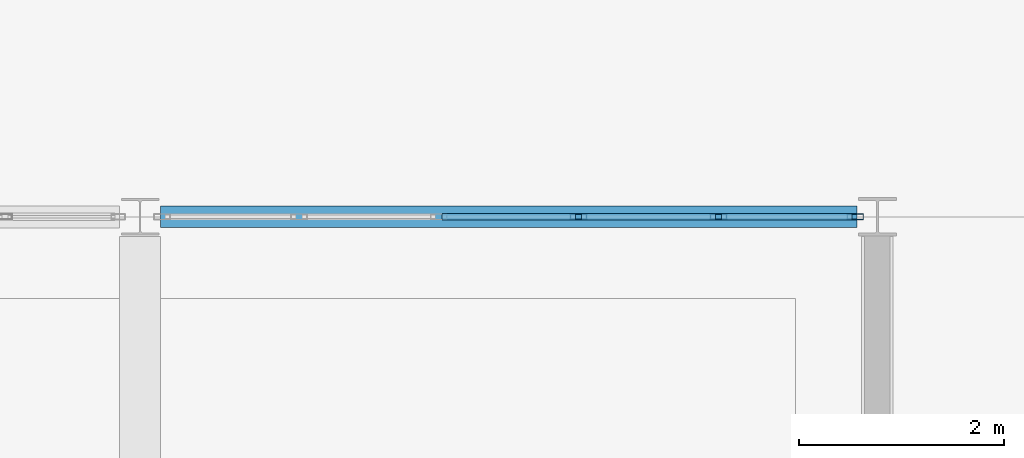
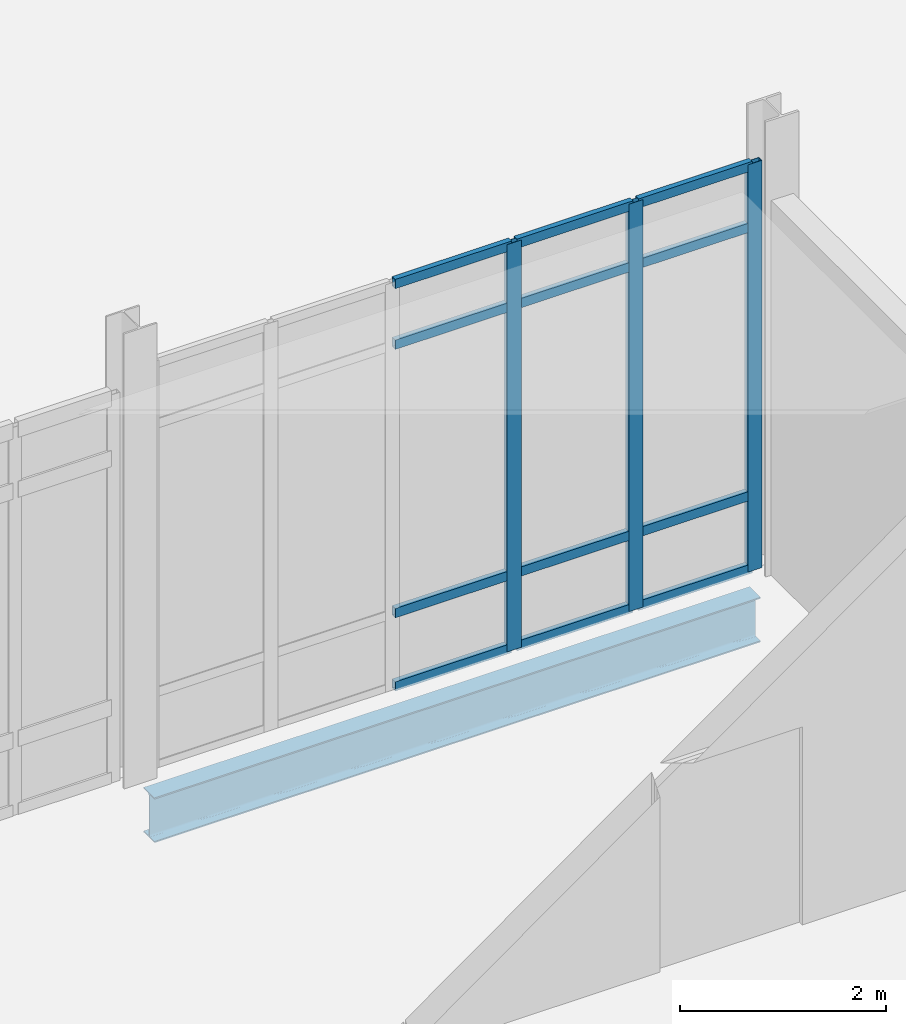
# One storey, part 128 of 229: 15 members, 1 beam, 1 element without a shape of its own.
"""IFC4 building model written with IfcOpenShell, lengths in metres."""

from ifc_helpers import new_model, si_unit, direction, frame, origin, origin_2d, place, context, subcontext, project, spatial, hollow_rectangle, i_section, extrude, material, layer, layer_set, material_profile, profile_set, type_object, element, aggregate, save


model = new_model("IFC4")

# Units and contexts
model_context = context("Model", 3, precision=1e-05, world=origin(), true_north=direction((0.0, 1.0)))
body_context = subcontext(model_context, "Body", "Model", "MODEL_VIEW")
ifc_project = project(units=[si_unit("LENGTHUNIT", "METRE"), si_unit("AREAUNIT", "SQUARE_METRE"), si_unit("VOLUMEUNIT", "CUBIC_METRE"), si_unit("PLANEANGLEUNIT", "RADIAN"), si_unit("MASSUNIT", "GRAM", prefix="KILO")], contexts=[model_context])

# Site, building, storey
site_placement = place(None, origin())
site = spatial("IfcSite", under=ifc_project, at=site_placement, CompositionType="ELEMENT")
building_placement = place(site_placement, origin())
building = spatial("IfcBuilding", under=site, at=building_placement, Name="Calvrana Isthmian Art Gallery", CompositionType="ELEMENT")
storey_placement = place(building_placement, origin())
storey = spatial("IfcBuildingStorey", under=building, at=storey_placement, Name="L00", CompositionType="ELEMENT", Elevation=0.0)

# Beam
ifc_material_1 = material(Name="Steel ASTM A992 Gr 50", Category="steel")
ifc_material_profile_1 = material_profile(ifc_material_1, i_section(OverallWidth=0.208984375, OverallDepth=0.532958984375, WebThickness=0.01025390625, FlangeThickness=0.015625, FilletRadius=0.02099609375, at=origin_2d()), Name="W21X62")
ifc_profile_set_1 = profile_set([ifc_material_profile_1], Name="Steel ASTM A992 Gr 50")
beam_type = type_object("IfcBeamType", Name="BM-G-W21X62", PredefinedType="BEAM", material=ifc_profile_set_1)
beam_placement = place(storey_placement, frame((148.99951171875, 46.800048828125, -0.551513671875), z_axis=(1.0, 0.0, 0.0), x_axis=(0.0, 1.0, 0.0)))
element("IfcBeam", 1, at=beam_placement, inside=storey, type_object=beam_type, Name="Girder X L00 20-21/G", PredefinedType="BEAM", context=body_context, shape_type="SweptSolid", body=[
    extrude(i_section(OverallWidth=0.208984375, OverallDepth=0.532958984375, WebThickness=0.01025390625, FlangeThickness=0.015625, FilletRadius=0.02099609375, at=origin_2d()), origin(), (0.0, 0.0, 1.0), 6.802490234375),
])

# Curtain wall, members
ifc_material_2 = material(Name="Anodized bronze aluminium 6063-T6", Category="aluminium")
ifc_layer = layer(ifc_material_2, 0.179931640625, Name="Anodized bronze aluminium 6063-T6")
ifc_layer_set = layer_set([ifc_layer], Name="Anodized bronze aluminium 6063-T6")
curtain_wall_type = type_object("IfcCurtainWallType", Name="CW-UNIT-068X48", PredefinedType="USERDEFINED", material=ifc_layer_set)
curtain_wall_placement = place(storey_placement, origin())
curtain_wall = element("IfcCurtainWall", 2, at=curtain_wall_placement, inside=storey, type_object=curtain_wall_type, Name="Curtain wall CW-025", ObjectType="UNITISED CURTAIN WALL", PredefinedType="USERDEFINED")
ifc_material_profile_2 = material_profile(ifc_material_2, hollow_rectangle(XDim=0.06005859375, YDim=0.159912109375, WallThickness=0.00390625, at=origin_2d()), Name="CWM60X160")
ifc_profile_set_2 = profile_set([ifc_material_profile_2], Name="Anodized bronze aluminium 6063-T6")
member_type_1 = type_object("IfcMemberType", Name="CWM-CWM60X160", PredefinedType="MULLION", material=ifc_profile_set_2)
member_1_placement = place(storey_placement, frame((153.081787109375, 46.800048828125, 0.0), z_axis=(0.0, 0.0, 1.0), x_axis=(0.0, 1.0, 0.0)))
member_1 = element("IfcMember", 3, at=member_1_placement, type_object=member_type_1, Name="CW-025 mullion 4", PredefinedType="MULLION", context=body_context, shape_type="SweptSolid", body=[
    extrude(hollow_rectangle(XDim=0.06005859375, YDim=0.159912109375, WallThickness=0.00390625, at=origin_2d()), origin(), (0.0, 0.0, 1.0), 4.835205078125),
])
member_2_placement = place(storey_placement, frame((154.447509765625, 46.800048828125, 0.0), z_axis=(0.0, 0.0, 1.0), x_axis=(0.0, 1.0, 0.0)))
member_2 = element("IfcMember", 4, at=member_2_placement, type_object=member_type_1, Name="CW-025 mullion 5", PredefinedType="MULLION", context=body_context, shape_type="SweptSolid", body=[
    extrude(hollow_rectangle(XDim=0.06005859375, YDim=0.159912109375, WallThickness=0.00390625, at=origin_2d()), origin(), (0.0, 0.0, 1.0), 4.835205078125),
])
member_3_placement = place(storey_placement, frame((155.783447265625, 46.800048828125, 0.0), z_axis=(0.0, 0.0, 1.0), x_axis=(0.0, 1.0, 0.0)))
member_3 = element("IfcMember", 5, at=member_3_placement, type_object=member_type_1, Name="CW-025 mullion 6", PredefinedType="MULLION", context=body_context, shape_type="SweptSolid", body=[
    extrude(hollow_rectangle(XDim=0.06005859375, YDim=0.159912109375, WallThickness=0.00390625, at=origin_2d()), origin(), (0.0, 0.0, 1.0), 4.835205078125),
])
ifc_material_profile_3 = material_profile(ifc_material_2, hollow_rectangle(XDim=0.06005859375, YDim=0.110107421875, WallThickness=0.00341796875, at=origin_2d()), Name="CWT60X110")
ifc_profile_set_3 = profile_set([ifc_material_profile_3], Name="Anodized bronze aluminium 6063-T6")
member_type_2 = type_object("IfcMemberType", Name="CWT-CWT60X110", PredefinedType="USERDEFINED", material=ifc_profile_set_3)
member_4_placement = place(storey_placement, frame((151.745849609375, 46.800048828125, 0.030029296875), z_axis=(1.0, 0.0, 0.0), x_axis=(0.0, 1.0, 0.0)))
member_4 = element("IfcMember", 6, at=member_4_placement, type_object=member_type_2, Name="CW-025 transom 3.1", ObjectType="TRANSOM", PredefinedType="USERDEFINED", context=body_context, shape_type="SweptSolid", body=[
    extrude(hollow_rectangle(XDim=0.06005859375, YDim=0.110107421875, WallThickness=0.00341796875, at=origin_2d()), origin(), (0.0, 0.0, 1.0), 1.305908203125),
])
member_5_placement = place(storey_placement, frame((151.745849609375, 46.800048828125, 0.89990234375), z_axis=(1.0, 0.0, 0.0), x_axis=(0.0, 1.0, 0.0)))
member_5 = element("IfcMember", 7, at=member_5_placement, type_object=member_type_2, Name="CW-025 transom 3.2", ObjectType="TRANSOM", PredefinedType="USERDEFINED", context=body_context, shape_type="SweptSolid", body=[
    extrude(hollow_rectangle(XDim=0.06005859375, YDim=0.110107421875, WallThickness=0.00341796875, at=origin_2d()), origin(), (0.0, 0.0, 1.0), 1.305908203125),
])
member_6_placement = place(storey_placement, frame((151.745849609375, 46.800048828125, 4.085205078125), z_axis=(1.0, 0.0, 0.0), x_axis=(0.0, 1.0, 0.0)))
member_6 = element("IfcMember", 8, at=member_6_placement, type_object=member_type_2, Name="CW-025 transom 3.3", ObjectType="TRANSOM", PredefinedType="USERDEFINED", context=body_context, shape_type="SweptSolid", body=[
    extrude(hollow_rectangle(XDim=0.06005859375, YDim=0.110107421875, WallThickness=0.00341796875, at=origin_2d()), origin(), (0.0, 0.0, 1.0), 1.305908203125),
])
member_7_placement = place(storey_placement, frame((151.745849609375, 46.800048828125, 4.80517578125), z_axis=(1.0, 0.0, 0.0), x_axis=(0.0, 1.0, 0.0)))
member_7 = element("IfcMember", 9, at=member_7_placement, type_object=member_type_2, Name="CW-025 transom 3.4", ObjectType="TRANSOM", PredefinedType="USERDEFINED", context=body_context, shape_type="SweptSolid", body=[
    extrude(hollow_rectangle(XDim=0.06005859375, YDim=0.110107421875, WallThickness=0.00341796875, at=origin_2d()), origin(), (0.0, 0.0, 1.0), 1.305908203125),
])
member_8_placement = place(storey_placement, frame((153.11181640625, 46.800048828125, 0.030029296875), z_axis=(1.0, 0.0, 0.0), x_axis=(0.0, 1.0, 0.0)))
member_8 = element("IfcMember", 10, at=member_8_placement, type_object=member_type_2, Name="CW-025 transom 4.1", ObjectType="TRANSOM", PredefinedType="USERDEFINED", context=body_context, shape_type="SweptSolid", body=[
    extrude(hollow_rectangle(XDim=0.06005859375, YDim=0.110107421875, WallThickness=0.00341796875, at=origin_2d()), origin(), (0.0, 0.0, 1.0), 1.3056640625),
])
member_9_placement = place(storey_placement, frame((153.11181640625, 46.800048828125, 0.89990234375), z_axis=(1.0, 0.0, 0.0), x_axis=(0.0, 1.0, 0.0)))
member_9 = element("IfcMember", 11, at=member_9_placement, type_object=member_type_2, Name="CW-025 transom 4.2", ObjectType="TRANSOM", PredefinedType="USERDEFINED", context=body_context, shape_type="SweptSolid", body=[
    extrude(hollow_rectangle(XDim=0.06005859375, YDim=0.110107421875, WallThickness=0.00341796875, at=origin_2d()), origin(), (0.0, 0.0, 1.0), 1.3056640625),
])
member_10_placement = place(storey_placement, frame((153.11181640625, 46.800048828125, 4.085205078125), z_axis=(1.0, 0.0, 0.0), x_axis=(0.0, 1.0, 0.0)))
member_10 = element("IfcMember", 12, at=member_10_placement, type_object=member_type_2, Name="CW-025 transom 4.3", ObjectType="TRANSOM", PredefinedType="USERDEFINED", context=body_context, shape_type="SweptSolid", body=[
    extrude(hollow_rectangle(XDim=0.06005859375, YDim=0.110107421875, WallThickness=0.00341796875, at=origin_2d()), origin(), (0.0, 0.0, 1.0), 1.3056640625),
])
member_11_placement = place(storey_placement, frame((153.11181640625, 46.800048828125, 4.80517578125), z_axis=(1.0, 0.0, 0.0), x_axis=(0.0, 1.0, 0.0)))
member_11 = element("IfcMember", 13, at=member_11_placement, type_object=member_type_2, Name="CW-025 transom 4.4", ObjectType="TRANSOM", PredefinedType="USERDEFINED", context=body_context, shape_type="SweptSolid", body=[
    extrude(hollow_rectangle(XDim=0.06005859375, YDim=0.110107421875, WallThickness=0.00341796875, at=origin_2d()), origin(), (0.0, 0.0, 1.0), 1.3056640625),
])
member_12_placement = place(storey_placement, frame((154.4775390625, 46.800048828125, 0.030029296875), z_axis=(1.0, 0.0, 0.0), x_axis=(0.0, 1.0, 0.0)))
member_12 = element("IfcMember", 14, at=member_12_placement, type_object=member_type_2, Name="CW-025 transom 5.1", ObjectType="TRANSOM", PredefinedType="USERDEFINED", context=body_context, shape_type="SweptSolid", body=[
    extrude(hollow_rectangle(XDim=0.06005859375, YDim=0.110107421875, WallThickness=0.00341796875, at=origin_2d()), origin(), (0.0, 0.0, 1.0), 1.27587890625),
])
member_13_placement = place(storey_placement, frame((154.4775390625, 46.800048828125, 0.89990234375), z_axis=(1.0, 0.0, 0.0), x_axis=(0.0, 1.0, 0.0)))
member_13 = element("IfcMember", 15, at=member_13_placement, type_object=member_type_2, Name="CW-025 transom 5.2", ObjectType="TRANSOM", PredefinedType="USERDEFINED", context=body_context, shape_type="SweptSolid", body=[
    extrude(hollow_rectangle(XDim=0.06005859375, YDim=0.110107421875, WallThickness=0.00341796875, at=origin_2d()), origin(), (0.0, 0.0, 1.0), 1.27587890625),
])
member_14_placement = place(storey_placement, frame((154.4775390625, 46.800048828125, 4.085205078125), z_axis=(1.0, 0.0, 0.0), x_axis=(0.0, 1.0, 0.0)))
member_14 = element("IfcMember", 16, at=member_14_placement, type_object=member_type_2, Name="CW-025 transom 5.3", ObjectType="TRANSOM", PredefinedType="USERDEFINED", context=body_context, shape_type="SweptSolid", body=[
    extrude(hollow_rectangle(XDim=0.06005859375, YDim=0.110107421875, WallThickness=0.00341796875, at=origin_2d()), origin(), (0.0, 0.0, 1.0), 1.27587890625),
])
member_15_placement = place(storey_placement, frame((154.4775390625, 46.800048828125, 4.80517578125), z_axis=(1.0, 0.0, 0.0), x_axis=(0.0, 1.0, 0.0)))
member_15 = element("IfcMember", 17, at=member_15_placement, type_object=member_type_2, Name="CW-025 transom 5.4", ObjectType="TRANSOM", PredefinedType="USERDEFINED", context=body_context, shape_type="SweptSolid", body=[
    extrude(hollow_rectangle(XDim=0.06005859375, YDim=0.110107421875, WallThickness=0.00341796875, at=origin_2d()), origin(), (0.0, 0.0, 1.0), 1.27587890625),
])
aggregate(curtain_wall, [member_1, member_2, member_3, member_4, member_5, member_6, member_7, member_8, member_9, member_10, member_11, member_12, member_13, member_14, member_15])

save(model, "model.ifc")
